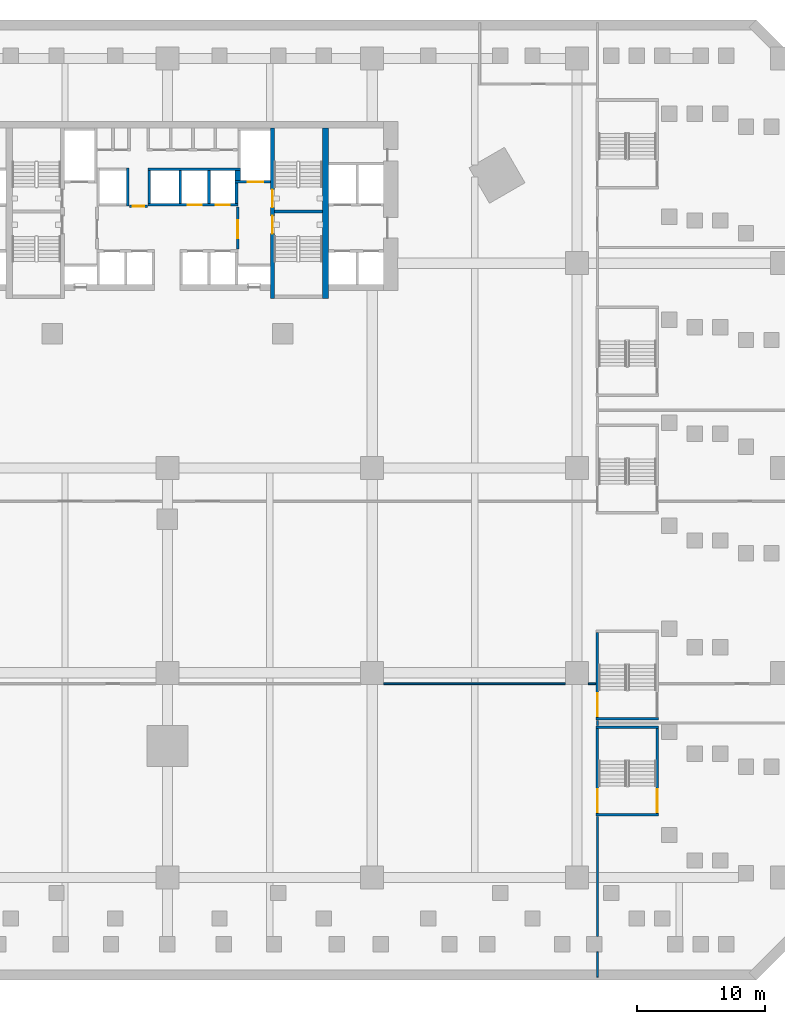
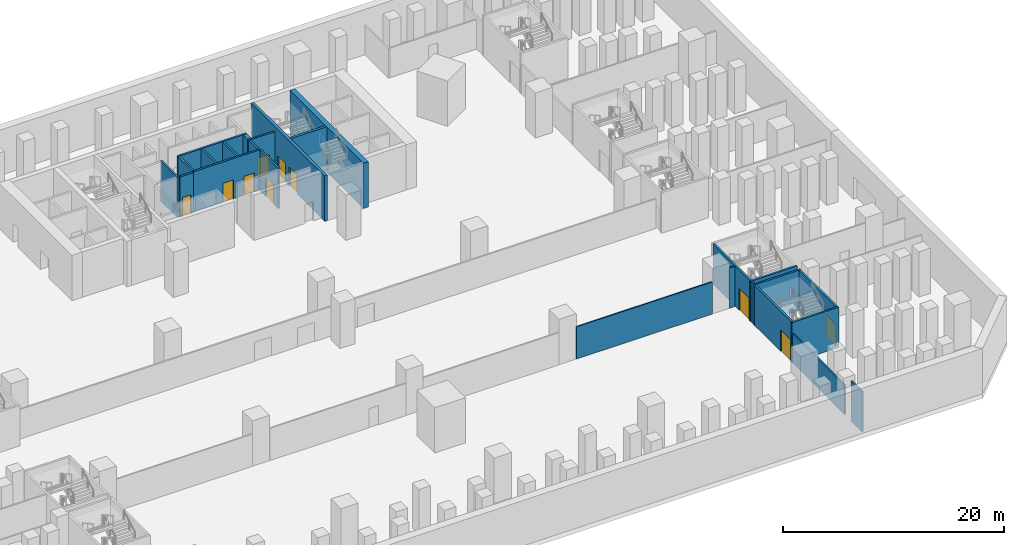
# One storey, part 8 of 24: 25 walls, 10 doors, 10 openings.
"""IFC4 building model written with IfcOpenShell, lengths in metres."""

from ifc_helpers import new_model, si_unit, direction, frame, frame_2d, origin, place, context, subcontext, project, spatial, rectangle, extrude, material, layer, layer_set, type_object, element, fill, save


model = new_model("IFC4")

# Units and contexts
model_context = context("Model", 3, precision=1e-05, world=origin(), true_north=direction((0.0, 1.0)))
body_context = subcontext(model_context, "Body", "Model", "MODEL_VIEW")
ifc_project = project(units=[si_unit("LENGTHUNIT", "METRE"), si_unit("AREAUNIT", "SQUARE_METRE"), si_unit("VOLUMEUNIT", "CUBIC_METRE"), si_unit("PLANEANGLEUNIT", "RADIAN"), si_unit("MASSUNIT", "GRAM", prefix="KILO")], contexts=[model_context])

# Site, building, storey
site_placement = place(None, origin())
site = spatial("IfcSite", under=ifc_project, at=site_placement, CompositionType="ELEMENT")
building_placement = place(site_placement, origin())
building = spatial("IfcBuilding", under=site, at=building_placement, Name="Calabash Gate Tower", CompositionType="ELEMENT")
storey_placement = place(building_placement, frame((0.0, 0.0, -5.0)))
storey = spatial("IfcBuildingStorey", under=building, at=storey_placement, Name="B1", CompositionType="ELEMENT", Elevation=-5.0)

# Wall
ifc_material_1 = material(Name="Concrete C60/75", Category="concrete")
ifc_layer_1 = layer(ifc_material_1, 0.25)
ifc_layer_set_1 = layer_set([ifc_layer_1], Name="Core wall 250 Concrete C60/75")
wall_type_1 = type_object("IfcWallType", Name="Core wall 250 Concrete C60/75", PredefinedType="SHEAR", material=ifc_layer_set_1)
wall_1_placement = place(storey_placement, frame((8.35009765625, 12.027587890625, 0.0), z_axis=(0.0, 0.0, 1.0), x_axis=(1.0, 0.0, 0.0)))
element("IfcWall", 1, at=wall_1_placement, inside=storey, type_object=wall_type_1, Name="Core wall B-MIDE B1", PredefinedType="SHEAR", context=body_context, shape_type="SweptSolid", body=[
    extrude(rectangle(XDim=3.75, YDim=0.25, at=frame_2d((1.875, 0.0))), origin(), (0.0, 0.0, 1.0), 5.0),
])

# Wall, openings, doors
ifc_material_2 = material(Name="Concrete C60/75", Category="concrete")
ifc_layer_2 = layer(ifc_material_2, 0.300048828125)
ifc_layer_set_2 = layer_set([ifc_layer_2], Name="Core wall 300 Concrete C60/75")
wall_type_2 = type_object("IfcWallType", Name="Core wall 300 Concrete C60/75", PredefinedType="SHEAR", material=ifc_layer_set_2)
wall_2_placement = place(storey_placement, frame((8.199951171875, 5.252685546875, 0.0), z_axis=(0.0, 0.0, 1.0), x_axis=(0.0, 1.0, 0.0)))
wall_2 = element("IfcWall", 2, at=wall_2_placement, inside=storey, type_object=wall_type_2, Name="Core wall B-PARTE B1", PredefinedType="SHEAR", context=body_context, shape_type="SweptSolid", body=[
    extrude(rectangle(XDim=13.2998046875, YDim=0.300048828125, at=frame_2d((6.64990234375, 0.0))), origin(), (0.0, 0.0, 1.0), 5.0),
])
opening_1_placement = place(wall_2_placement, frame((7.10009765625, 0.0, 0.0)))
opening_1 = element("IfcOpeningElement", 3, at=opening_1_placement, cuts=wall_2, Name="Opening B1-005", PredefinedType="OPENING", context=body_context, shape_type="SweptSolid", body=[
    extrude(rectangle(XDim=1.39990234375, YDim=2.10009765625, at=frame_2d((0.699951171875, 1.050048828125))), frame((0.0, 0.159912109375, 0.0), z_axis=(0.0, -1.0, 0.0), x_axis=(1.0, 0.0, 0.0)), (0.0, 0.0, 1.0), 0.320068359375),
])
opening_2_placement = place(wall_2_placement, frame((5.050048828125, 0.0, 0.0)))
opening_2 = element("IfcOpeningElement", 4, at=opening_2_placement, cuts=wall_2, Name="Opening B1-006", PredefinedType="OPENING", context=body_context, shape_type="SweptSolid", body=[
    extrude(rectangle(XDim=1.39990234375, YDim=2.10009765625, at=frame_2d((0.699951171875, 1.050048828125))), frame((0.0, 0.159912109375, 0.0), z_axis=(0.0, -1.0, 0.0), x_axis=(1.0, 0.0, 0.0)), (0.0, 0.0, 1.0), 0.320068359375),
])
ifc_material_3 = material(Name="Steel fire door set with fire-resisting glazing", Category="steel")
door_type_1 = type_object("IfcDoorType", Name="Fire door D05 1400x2100 FD90", OperationType="NOTDEFINED", PredefinedType="DOOR", material=ifc_material_3)
door_1_placement = place(opening_1_placement, origin())
door_1 = element("IfcDoor", 5, at=door_1_placement, inside=storey, type_object=door_type_1, Name="Exit stair door ST3", OperationType="SINGLE_SWING_RIGHT", OverallHeight=2.10009765625, OverallWidth=1.39990234375, PredefinedType="DOOR", context=body_context, shape_type="SweptSolid", body=[
    extrude(rectangle(XDim=1.39990234375, YDim=2.10009765625, at=frame_2d((0.699951171875, 1.050048828125))), frame((0.0, 0.02490234375, 0.0), z_axis=(0.0, -1.0, 0.0), x_axis=(1.0, 0.0, 0.0)), (0.0, 0.0, 1.0), 0.050048828125),
])
fill(opening_1, door_1)
door_2_placement = place(opening_2_placement, origin())
door_2 = element("IfcDoor", 6, at=door_2_placement, inside=storey, type_object=door_type_1, Name="Exit stair door ST4", OperationType="SINGLE_SWING_LEFT", OverallHeight=2.10009765625, OverallWidth=1.39990234375, PredefinedType="DOOR", context=body_context, shape_type="SweptSolid", body=[
    extrude(rectangle(XDim=1.39990234375, YDim=2.10009765625, at=frame_2d((0.699951171875, 1.050048828125))), frame((0.0, 0.02490234375, 0.0), z_axis=(0.0, -1.0, 0.0), x_axis=(1.0, 0.0, 0.0)), (0.0, 0.0, 1.0), 0.050048828125),
])
fill(opening_2, door_2)

# Walls
ifc_material_4 = material(Name="Concrete C60/75", Category="concrete")
ifc_layer_3 = layer(ifc_material_4, 0.5)
ifc_layer_set_3 = layer_set([ifc_layer_3], Name="Core wall 500 Concrete C60/75")
wall_type_3 = type_object("IfcWallType", Name="Core wall 500 Concrete C60/75", PredefinedType="SHEAR", material=ifc_layer_set_3)
wall_3_placement = place(storey_placement, frame((12.35009765625, 5.252685546875, 0.0), z_axis=(0.0, 0.0, 1.0), x_axis=(0.0, 1.0, 0.0)))
element("IfcWall", 7, at=wall_3_placement, inside=storey, type_object=wall_type_3, Name="Core wall B-COLE B1", PredefinedType="SHEAR", context=body_context, shape_type="SweptSolid", body=[
    extrude(rectangle(XDim=13.2998046875, YDim=0.5, at=frame_2d((6.64990234375, 0.0))), origin(), (0.0, 0.0, 1.0), 5.0),
])
ifc_material_5 = material(Name="Gypsum board on steel studs, mineral wool", Category="steel")
ifc_layer_4 = layer(ifc_material_5, 0.14990234375)
ifc_layer_set_4 = layer_set([ifc_layer_4], Name="Partition 150 gypsum board")
wall_type_4 = type_object("IfcWallType", Name="Partition 150 gypsum board", PredefinedType="PARTITIONING", material=ifc_layer_set_4)
wall_4_placement = place(storey_placement, frame((33.60009765625, -47.77490234375, 0.0), z_axis=(0.0, 0.0, 1.0), x_axis=(0.0, 1.0, 0.0)))
element("IfcWall", 8, at=wall_4_placement, inside=storey, type_object=wall_type_4, Name="Partition", PredefinedType="PARTITIONING", context=body_context, shape_type="SweptSolid", body=[
    extrude(rectangle(XDim=1.974853515625, YDim=0.14990234375, at=frame_2d((0.9873046875, 0.0))), origin(), (0.0, 0.0, 1.0), 4.449951171875),
])
wall_5_placement = place(storey_placement, frame((33.60009765625, -44.60009765625, 0.0), z_axis=(0.0, 0.0, 1.0), x_axis=(0.0, 1.0, 0.0)))
element("IfcWall", 9, at=wall_5_placement, inside=storey, type_object=wall_type_4, Name="Partition", PredefinedType="PARTITIONING", context=body_context, shape_type="SweptSolid", body=[
    extrude(rectangle(XDim=9.360107421875, YDim=0.14990234375, at=frame_2d((4.68017578125, 0.0))), origin(), (0.0, 0.0, 1.0), 3.25),
])
wall_6_placement = place(storey_placement, frame((33.60009765625, -28.110107421875, 0.0), z_axis=(0.0, 0.0, 1.0), x_axis=(0.0, 1.0, 0.0)))
element("IfcWall", 10, at=wall_6_placement, inside=storey, type_object=wall_type_4, Name="Partition", PredefinedType="PARTITIONING", context=body_context, shape_type="SweptSolid", body=[
    extrude(rectangle(XDim=0.3701171875, YDim=0.14990234375, at=frame_2d((0.18505859375, 0.0))), origin(), (0.0, 0.0, 1.0), 4.449951171875),
])
wall_7_placement = place(storey_placement, frame((16.89990234375, -24.857421875, 0.0), z_axis=(0.0, 0.0, 1.0), x_axis=(1.0, 0.0, 0.0)))
element("IfcWall", 11, at=wall_7_placement, inside=storey, type_object=wall_type_4, Name="Partition", PredefinedType="PARTITIONING", context=body_context, shape_type="SweptSolid", body=[
    extrude(rectangle(XDim=14.2001953125, YDim=0.125, at=frame_2d((7.10009765625, 0.0))), origin(), (0.0, 0.0, 1.0), 3.550048828125),
])
wall_8_placement = place(storey_placement, frame((32.89990234375, -24.857421875, 0.0), z_axis=(0.0, 0.0, 1.0), x_axis=(1.0, 0.0, 0.0)))
element("IfcWall", 12, at=wall_8_placement, inside=storey, type_object=wall_type_4, Name="Partition", PredefinedType="PARTITIONING", context=body_context, shape_type="SweptSolid", body=[
    extrude(rectangle(XDim=0.56005859375, YDim=0.125, at=frame_2d((0.280029296875, 0.0))), origin(), (0.0, 0.0, 1.0), 4.449951171875),
])

# Wall, opening, door
ifc_material_6 = material(Name="Concrete C40/50", Category="concrete")
ifc_layer_5 = layer(ifc_material_6, 0.199951171875)
ifc_layer_set_5 = layer_set([ifc_layer_5], Name="Shaft wall 200 Concrete C40/50")
wall_type_5 = type_object("IfcWallType", Name="Shaft wall 200 Concrete C40/50", PredefinedType="SOLIDWALL", material=ifc_layer_set_5)
wall_9_placement = place(storey_placement, frame((5.5, 9.1025390625, 0.0), z_axis=(0.0, 0.0, 1.0), x_axis=(0.0, 1.0, 0.0)))
wall_9 = element("IfcWall", 13, at=wall_9_placement, inside=storey, type_object=wall_type_5, Name="Shaft wall", PredefinedType="SOLIDWALL", context=body_context, shape_type="SweptSolid", body=[
    extrude(rectangle(XDim=3.300048828125, YDim=0.199951171875, at=frame_2d((1.64990234375, 0.0))), origin(), (0.0, 0.0, 1.0), 4.449951171875),
])
opening_3_placement = place(wall_9_placement, frame((0.85009765625, 0.0, 0.0)))
opening_3 = element("IfcOpeningElement", 14, at=opening_3_placement, cuts=wall_9, Name="Opening B1-009", PredefinedType="OPENING", context=body_context, shape_type="SweptSolid", body=[
    extrude(rectangle(XDim=1.39990234375, YDim=2.10009765625, at=frame_2d((0.699951171875, 1.050048828125))), frame((0.0, 0.10986328125, 0.0), z_axis=(0.0, -1.0, 0.0), x_axis=(1.0, 0.0, 0.0)), (0.0, 0.0, 1.0), 0.219970703125),
])
door_3_placement = place(opening_3_placement, origin())
door_3 = element("IfcDoor", 15, at=door_3_placement, inside=storey, type_object=door_type_1, Name="Firefighting Lobby E door", OperationType="SINGLE_SWING_LEFT", OverallHeight=2.10009765625, OverallWidth=1.39990234375, PredefinedType="DOOR", context=body_context, shape_type="SweptSolid", body=[
    extrude(rectangle(XDim=1.39990234375, YDim=2.10009765625, at=frame_2d((0.699951171875, 1.050048828125))), frame((0.0, 0.02490234375, 0.0), z_axis=(0.0, -1.0, 0.0), x_axis=(1.0, 0.0, 0.0)), (0.0, 0.0, 1.0), 0.050048828125),
])
fill(opening_3, door_3)

wall_10_placement = place(storey_placement, frame((-2.949951171875, 12.45263671875, 0.0), z_axis=(0.0, 0.0, 1.0), x_axis=(1.0, 0.0, 0.0)))
wall_10 = element("IfcWall", 16, at=wall_10_placement, inside=storey, type_object=wall_type_5, Name="Shaft wall", PredefinedType="SOLIDWALL", context=body_context, shape_type="SweptSolid", body=[
    extrude(rectangle(XDim=1.39990234375, YDim=0.199951171875, at=frame_2d((0.699951171875, 0.0))), origin(), (0.0, 0.0, 1.0), 4.449951171875),
])
opening_4_placement = place(wall_10_placement, frame((0.25, 0.0, 0.0)))
opening_4 = element("IfcOpeningElement", 17, at=opening_4_placement, cuts=wall_10, Name="Opening B1-007", PredefinedType="OPENING", context=body_context, shape_type="SweptSolid", body=[
    extrude(rectangle(XDim=0.89990234375, YDim=2.10009765625, at=frame_2d((0.449951171875, 1.050048828125))), frame((0.0, 0.10986328125, 0.0), z_axis=(0.0, -1.0, 0.0), x_axis=(1.0, 0.0, 0.0)), (0.0, 0.0, 1.0), 0.219970703125),
])
ifc_material_7 = material(Name="Steel fire door set with fire-resisting glazing", Category="steel")
door_type_2 = type_object("IfcDoorType", Name="Fire door D06 900x2100 FD60", OperationType="NOTDEFINED", PredefinedType="DOOR", material=ifc_material_7)
door_4_placement = place(opening_4_placement, origin())
door_4 = element("IfcDoor", 18, at=door_4_placement, inside=storey, type_object=door_type_2, Name="Service Corridor door", OperationType="SINGLE_SWING_RIGHT", OverallHeight=2.10009765625, OverallWidth=0.89990234375, PredefinedType="DOOR", context=body_context, shape_type="SweptSolid", body=[
    extrude(rectangle(XDim=0.89990234375, YDim=2.10009765625, at=frame_2d((0.449951171875, 1.050048828125))), frame((0.0, 0.02490234375, 0.0), z_axis=(0.0, -1.0, 0.0), x_axis=(1.0, 0.0, 0.0)), (0.0, 0.0, 1.0), 0.050048828125),
])
fill(opening_4, door_4)

# Wall
wall_11_placement = place(storey_placement, frame((-3.10009765625, 12.45263671875, 0.0), z_axis=(0.0, 0.0, 1.0), x_axis=(0.0, 1.0, 0.0)))
element("IfcWall", 19, at=wall_11_placement, inside=storey, type_object=wall_type_5, Name="Shaft wall", PredefinedType="SOLIDWALL", context=body_context, shape_type="SweptSolid", body=[
    extrude(rectangle(XDim=3.0, YDim=0.199951171875, at=frame_2d((1.5, 0.0))), origin(), (0.0, 0.0, 1.0), 4.449951171875),
])

# Wall, openings, doors
wall_12_placement = place(storey_placement, frame((-1.5, 12.552490234375, 0.0), z_axis=(0.0, 0.0, 1.0), x_axis=(1.0, 0.0, 0.0)))
wall_12 = element("IfcWall", 20, at=wall_12_placement, inside=storey, type_object=wall_type_5, Name="Shaft wall", PredefinedType="SOLIDWALL", context=body_context, shape_type="SweptSolid", body=[
    extrude(rectangle(XDim=7.0, YDim=0.199951171875, at=frame_2d((3.5, 0.0))), origin(), (0.0, 0.0, 1.0), 4.449951171875),
])
opening_5_placement = place(wall_12_placement, frame((3.074951171875, 0.0, 0.0)))
opening_5 = element("IfcOpeningElement", 21, at=opening_5_placement, cuts=wall_12, Name="Opening LD-HR5", PredefinedType="OPENING", context=body_context, shape_type="SweptSolid", body=[
    extrude(rectangle(XDim=1.10009765625, YDim=2.10009765625, at=frame_2d((0.550048828125, 1.050048828125))), frame((0.0, 0.10986328125, 0.0), z_axis=(0.0, -1.0, 0.0), x_axis=(1.0, 0.0, 0.0)), (0.0, 0.0, 1.0), 0.219970703125),
])
opening_6_placement = place(wall_12_placement, frame((5.27490234375, 0.0, 0.0)))
opening_6 = element("IfcOpeningElement", 22, at=opening_6_placement, cuts=wall_12, Name="Opening LD-HR6", PredefinedType="OPENING", context=body_context, shape_type="SweptSolid", body=[
    extrude(rectangle(XDim=1.10009765625, YDim=2.10009765625, at=frame_2d((0.550048828125, 1.050048828125))), frame((0.0, 0.10986328125, 0.0), z_axis=(0.0, -1.0, 0.0), x_axis=(1.0, 0.0, 0.0)), (0.0, 0.0, 1.0), 0.219970703125),
])
ifc_material_8 = material(Name="Stainless steel sliding door leaves", Category="steel")
door_type_3 = type_object("IfcDoorType", Name="Lift landing door LS1 1100x2100 FD90", OperationType="DOUBLE_DOOR_SLIDING", PredefinedType="DOOR", material=ifc_material_8)
door_5_placement = place(opening_5_placement, origin())
door_5 = element("IfcDoor", 23, at=door_5_placement, inside=storey, type_object=door_type_3, Name="Lift landing door HR5", OperationType="DOUBLE_DOOR_SLIDING", OverallHeight=2.10009765625, OverallWidth=1.10009765625, PredefinedType="DOOR", context=body_context, shape_type="SweptSolid", body=[
    extrude(rectangle(XDim=1.10009765625, YDim=2.10009765625, at=frame_2d((0.550048828125, 1.050048828125))), frame((0.0, 0.02490234375, 0.0), z_axis=(0.0, -1.0, 0.0), x_axis=(1.0, 0.0, 0.0)), (0.0, 0.0, 1.0), 0.050048828125),
])
fill(opening_5, door_5)
door_6_placement = place(opening_6_placement, origin())
door_6 = element("IfcDoor", 24, at=door_6_placement, inside=storey, type_object=door_type_3, Name="Lift landing door HR6", OperationType="DOUBLE_DOOR_SLIDING", OverallHeight=2.10009765625, OverallWidth=1.10009765625, PredefinedType="DOOR", context=body_context, shape_type="SweptSolid", body=[
    extrude(rectangle(XDim=1.10009765625, YDim=2.10009765625, at=frame_2d((0.550048828125, 1.050048828125))), frame((0.0, 0.02490234375, 0.0), z_axis=(0.0, -1.0, 0.0), x_axis=(1.0, 0.0, 0.0)), (0.0, 0.0, 1.0), 0.050048828125),
])
fill(opening_6, door_6)

# Walls
for number, where, z_axis, x_axis, name in (
    (25, (-1.39990234375, 12.652587890625, 0.0), (0.0, 0.0, 1.0), (0.0, 1.0, 0.0), "Shaft wall"),
    (26, (1.0, 12.652587890625, 0.0), (0.0, 0.0, 1.0), (0.0, 1.0, 0.0), "Shaft wall"),
    (27, (3.25, 12.652587890625, 0.0), (0.0, 0.0, 1.0), (0.0, 1.0, 0.0), "Shaft wall"),
):
    element("IfcWall", number, at=place(storey_placement, frame(where, z_axis=z_axis, x_axis=x_axis)), inside=storey, type_object=wall_type_5, Name=name, PredefinedType="SOLIDWALL", context=body_context, shape_type="SweptSolid", body=[
        extrude(rectangle(XDim=2.60009765625, YDim=0.199951171875, at=frame_2d((1.300048828125, 0.0))), origin(), (0.0, 0.0, 1.0), 4.449951171875),
    ])
wall_13_placement = place(storey_placement, frame((5.39990234375, 12.652587890625, 0.0), z_axis=(0.0, 0.0, 1.0), x_axis=(0.0, 1.0, 0.0)))
element("IfcWall", 28, at=wall_13_placement, inside=storey, type_object=wall_type_5, Name="Shaft wall", PredefinedType="SOLIDWALL", context=body_context, shape_type="SweptSolid", body=[
    extrude(rectangle(XDim=1.60009765625, YDim=0.199951171875, at=frame_2d((0.800048828125, 0.0))), origin(), (0.0, 0.0, 1.0), 4.449951171875),
])

# Wall, opening, door
wall_14_placement = place(storey_placement, frame((5.300048828125, 14.3525390625, 0.0), z_axis=(0.0, 0.0, 1.0), x_axis=(1.0, 0.0, 0.0)))
wall_14 = element("IfcWall", 29, at=wall_14_placement, inside=storey, type_object=wall_type_5, Name="Shaft wall", PredefinedType="SOLIDWALL", context=body_context, shape_type="SweptSolid", body=[
    extrude(rectangle(XDim=2.75, YDim=0.199951171875, at=frame_2d((1.375, 0.0))), origin(), (0.0, 0.0, 1.0), 4.449951171875),
])
opening_7_placement = place(wall_14_placement, frame((0.97509765625, 0.0, 0.0)))
opening_7 = element("IfcOpeningElement", 30, at=opening_7_placement, cuts=wall_14, Name="Opening LD-FF2", PredefinedType="OPENING", context=body_context, shape_type="SweptSolid", body=[
    extrude(rectangle(XDim=1.199951171875, YDim=2.10009765625, at=frame_2d((0.60009765625, 1.050048828125))), frame((0.0, 0.10986328125, 0.0), z_axis=(0.0, -1.0, 0.0), x_axis=(1.0, 0.0, 0.0)), (0.0, 0.0, 1.0), 0.219970703125),
])
ifc_material_9 = material(Name="Stainless steel sliding door leaves", Category="steel")
door_type_4 = type_object("IfcDoorType", Name="Lift landing door LS3 1200x2100 FD90", OperationType="DOUBLE_DOOR_SLIDING", PredefinedType="DOOR", material=ifc_material_9)
door_7_placement = place(opening_7_placement, origin())
door_7 = element("IfcDoor", 31, at=door_7_placement, inside=storey, type_object=door_type_4, Name="Lift landing door FF2", OperationType="DOUBLE_DOOR_SLIDING", OverallHeight=2.10009765625, OverallWidth=1.199951171875, PredefinedType="DOOR", context=body_context, shape_type="SweptSolid", body=[
    extrude(rectangle(XDim=1.199951171875, YDim=2.10009765625, at=frame_2d((0.60009765625, 1.050048828125))), frame((0.0, 0.02490234375, 0.0), z_axis=(0.0, -1.0, 0.0), x_axis=(1.0, 0.0, 0.0)), (0.0, 0.0, 1.0), 0.050048828125),
])
fill(opening_7, door_7)

# Walls
wall_15_placement = place(storey_placement, frame((5.5, 14.45263671875, 0.0), z_axis=(0.0, 0.0, 1.0), x_axis=(0.0, 1.0, 0.0)))
element("IfcWall", 32, at=wall_15_placement, inside=storey, type_object=wall_type_5, Name="Shaft wall", PredefinedType="SOLIDWALL", context=body_context, shape_type="SweptSolid", body=[
    extrude(rectangle(XDim=0.800048828125, YDim=0.39990234375, at=frame_2d((0.39990234375, 0.0))), origin(), (0.0, 0.0, 1.0), 4.449951171875),
])
wall_16_placement = place(storey_placement, frame((-1.5, 15.3525390625, 0.0), z_axis=(0.0, 0.0, 1.0), x_axis=(1.0, 0.0, 0.0)))
element("IfcWall", 33, at=wall_16_placement, inside=storey, type_object=wall_type_5, Name="Shaft wall", PredefinedType="SOLIDWALL", context=body_context, shape_type="SweptSolid", body=[
    extrude(rectangle(XDim=7.199951171875, YDim=0.199951171875, at=frame_2d((3.60009765625, 0.0))), origin(), (0.0, 0.0, 1.0), 4.449951171875),
])
ifc_material_10 = material(Name="Concrete C40/50", Category="concrete")
ifc_layer_6 = layer(ifc_material_10, 0.199951171875)
ifc_layer_set_6 = layer_set([ifc_layer_6], Name="Stair wall 200 Concrete C40/50")
wall_type_6 = type_object("IfcWallType", Name="Stair wall 200 Concrete C40/50", PredefinedType="SOLIDWALL", material=ifc_layer_set_6)
for number, where, z_axis, x_axis, name in (
    (34, (33.5, -35.10009765625, 0.0), (0.0, 0.0, 1.0), (1.0, 0.0, 0.0), "Stair wall"),
    (35, (33.5, -28.25, 0.0), (0.0, 0.0, 1.0), (1.0, 0.0, 0.0), "Stair wall"),
):
    element("IfcWall", number, at=place(storey_placement, frame(where, z_axis=z_axis, x_axis=x_axis)), inside=storey, type_object=wall_type_6, Name=name, PredefinedType="SOLIDWALL", context=body_context, shape_type="SweptSolid", body=[
        extrude(rectangle(XDim=4.8701171875, YDim=0.199951171875, at=frame_2d((2.43505859375, 0.0))), origin(), (0.0, 0.0, 1.0), 4.449951171875),
    ])

# Wall, opening, door
wall_17_placement = place(storey_placement, frame((33.60009765625, -35.0, 0.0), z_axis=(0.0, 0.0, 1.0), x_axis=(0.0, 1.0, 0.0)))
wall_17 = element("IfcWall", 36, at=wall_17_placement, inside=storey, type_object=wall_type_6, Name="Stair wall", PredefinedType="SOLIDWALL", context=body_context, shape_type="SweptSolid", body=[
    extrude(rectangle(XDim=6.64990234375, YDim=0.199951171875, at=frame_2d((3.324951171875, 0.0))), origin(), (0.0, 0.0, 1.0), 4.449951171875),
])
opening_8_placement = place(wall_17_placement, frame((0.10009765625, 0.0, 0.0)))
opening_8 = element("IfcOpeningElement", 37, at=opening_8_placement, cuts=wall_17, Name="Opening B1-032", PredefinedType="OPENING", context=body_context, shape_type="SweptSolid", body=[
    extrude(rectangle(XDim=1.800048828125, YDim=2.39990234375, at=frame_2d((0.89990234375, 1.199951171875))), frame((0.0, 0.10986328125, 0.0), z_axis=(0.0, -1.0, 0.0), x_axis=(1.0, 0.0, 0.0)), (0.0, 0.0, 1.0), 0.219970703125),
])
ifc_material_11 = material(Name="Steel fire door set with fire-resisting glazing", Category="steel")
door_type_5 = type_object("IfcDoorType", Name="Double fire door D16 1800x2400 FD90", OperationType="DOUBLE_DOOR_SINGLE_SWING", PredefinedType="DOOR", material=ifc_material_11)
door_8_placement = place(opening_8_placement, origin())
door_8 = element("IfcDoor", 38, at=door_8_placement, inside=storey, type_object=door_type_5, Name="Exit stair door PS6", OperationType="DOUBLE_DOOR_SINGLE_SWING", OverallHeight=2.39990234375, OverallWidth=1.800048828125, PredefinedType="DOOR", context=body_context, shape_type="SweptSolid", body=[
    extrude(rectangle(XDim=1.800048828125, YDim=2.39990234375, at=frame_2d((0.89990234375, 1.199951171875))), frame((0.0, 0.02490234375, 0.0), z_axis=(0.0, -1.0, 0.0), x_axis=(1.0, 0.0, 0.0)), (0.0, 0.0, 1.0), 0.050048828125),
])
fill(opening_8, door_8)

wall_18_placement = place(storey_placement, frame((38.27001953125, -35.0, 0.0), z_axis=(0.0, 0.0, 1.0), x_axis=(0.0, 1.0, 0.0)))
wall_18 = element("IfcWall", 39, at=wall_18_placement, inside=storey, type_object=wall_type_6, Name="Stair wall", PredefinedType="SOLIDWALL", context=body_context, shape_type="SweptSolid", body=[
    extrude(rectangle(XDim=6.64990234375, YDim=0.199951171875, at=frame_2d((3.324951171875, 0.0))), origin(), (0.0, 0.0, 1.0), 4.449951171875),
])
opening_9_placement = place(wall_18_placement, frame((0.10009765625, 0.0, 0.0)))
opening_9 = element("IfcOpeningElement", 40, at=opening_9_placement, cuts=wall_18, Name="Opening B1-033", PredefinedType="OPENING", context=body_context, shape_type="SweptSolid", body=[
    extrude(rectangle(XDim=1.800048828125, YDim=2.39990234375, at=frame_2d((0.89990234375, 1.199951171875))), frame((0.0, 0.10986328125, 0.0), z_axis=(0.0, -1.0, 0.0), x_axis=(1.0, 0.0, 0.0)), (0.0, 0.0, 1.0), 0.219970703125),
])
door_9_placement = place(opening_9_placement, origin())
door_9 = element("IfcDoor", 41, at=door_9_placement, inside=storey, type_object=door_type_5, Name="Exit stair door PS6", OperationType="DOUBLE_DOOR_SINGLE_SWING", OverallHeight=2.39990234375, OverallWidth=1.800048828125, PredefinedType="DOOR", context=body_context, shape_type="SweptSolid", body=[
    extrude(rectangle(XDim=1.800048828125, YDim=2.39990234375, at=frame_2d((0.89990234375, 1.199951171875))), frame((0.0, 0.02490234375, 0.0), z_axis=(0.0, -1.0, 0.0), x_axis=(1.0, 0.0, 0.0)), (0.0, 0.0, 1.0), 0.050048828125),
])
fill(opening_9, door_9)

# Wall
wall_19_placement = place(storey_placement, frame((33.5, -27.60009765625, 0.0), z_axis=(0.0, 0.0, 1.0), x_axis=(1.0, 0.0, 0.0)))
element("IfcWall", 42, at=wall_19_placement, inside=storey, type_object=wall_type_6, Name="Stair wall", PredefinedType="SOLIDWALL", context=body_context, shape_type="SweptSolid", body=[
    extrude(rectangle(XDim=4.8701171875, YDim=0.199951171875, at=frame_2d((2.43505859375, 0.0))), origin(), (0.0, 0.0, 1.0), 4.449951171875),
])

# Wall, opening, door
wall_20_placement = place(storey_placement, frame((33.60009765625, -27.5, 0.0), z_axis=(0.0, 0.0, 1.0), x_axis=(0.0, 1.0, 0.0)))
wall_20 = element("IfcWall", 43, at=wall_20_placement, inside=storey, type_object=wall_type_6, Name="Stair wall", PredefinedType="SOLIDWALL", context=body_context, shape_type="SweptSolid", body=[
    extrude(rectangle(XDim=6.64990234375, YDim=0.199951171875, at=frame_2d((3.324951171875, 0.0))), origin(), (0.0, 0.0, 1.0), 4.449951171875),
])
opening_10_placement = place(wall_20_placement, frame((0.10009765625, 0.0, 0.0)))
opening_10 = element("IfcOpeningElement", 44, at=opening_10_placement, cuts=wall_20, Name="Opening B1-034", PredefinedType="OPENING", context=body_context, shape_type="SweptSolid", body=[
    extrude(rectangle(XDim=1.800048828125, YDim=2.39990234375, at=frame_2d((0.89990234375, 1.199951171875))), frame((0.0, 0.10986328125, 0.0), z_axis=(0.0, -1.0, 0.0), x_axis=(1.0, 0.0, 0.0)), (0.0, 0.0, 1.0), 0.219970703125),
])
door_10_placement = place(opening_10_placement, origin())
door_10 = element("IfcDoor", 45, at=door_10_placement, inside=storey, type_object=door_type_5, Name="Exit stair door PS7", OperationType="DOUBLE_DOOR_SINGLE_SWING", OverallHeight=2.39990234375, OverallWidth=1.800048828125, PredefinedType="DOOR", context=body_context, shape_type="SweptSolid", body=[
    extrude(rectangle(XDim=1.800048828125, YDim=2.39990234375, at=frame_2d((0.89990234375, 1.199951171875))), frame((0.0, 0.02490234375, 0.0), z_axis=(0.0, -1.0, 0.0), x_axis=(1.0, 0.0, 0.0)), (0.0, 0.0, 1.0), 0.050048828125),
])
fill(opening_10, door_10)

save(model, "model.ifc")
